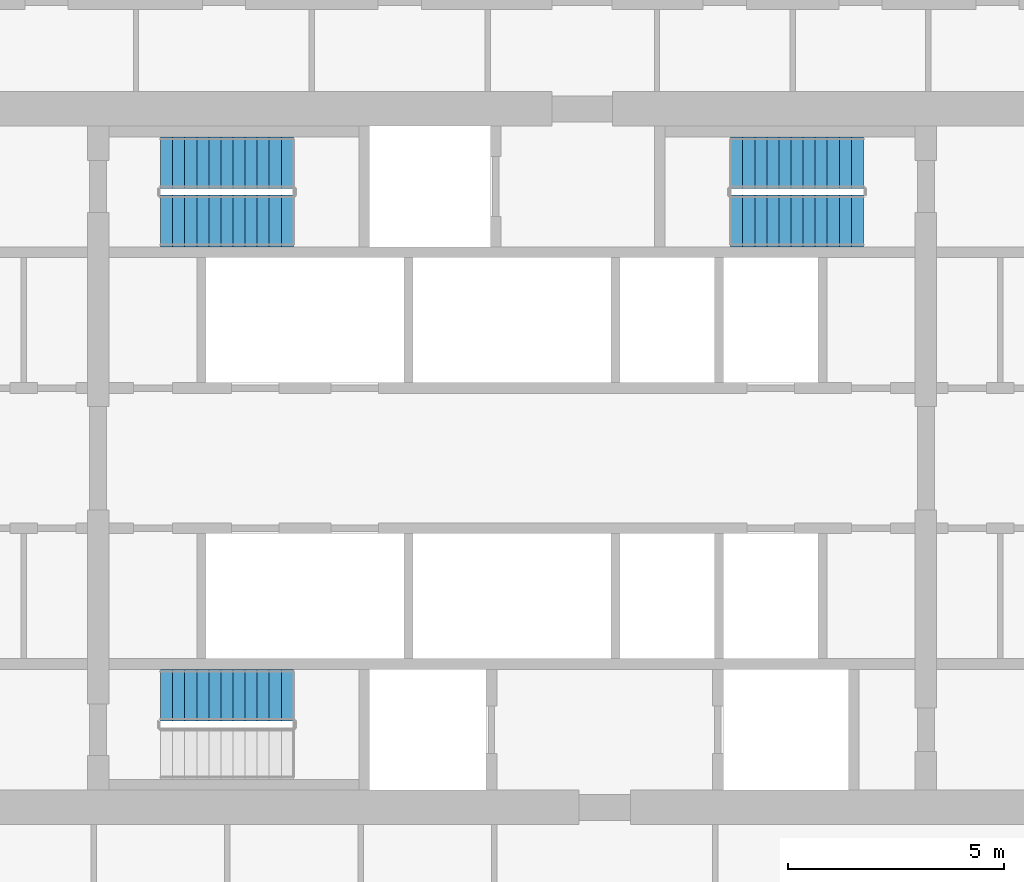
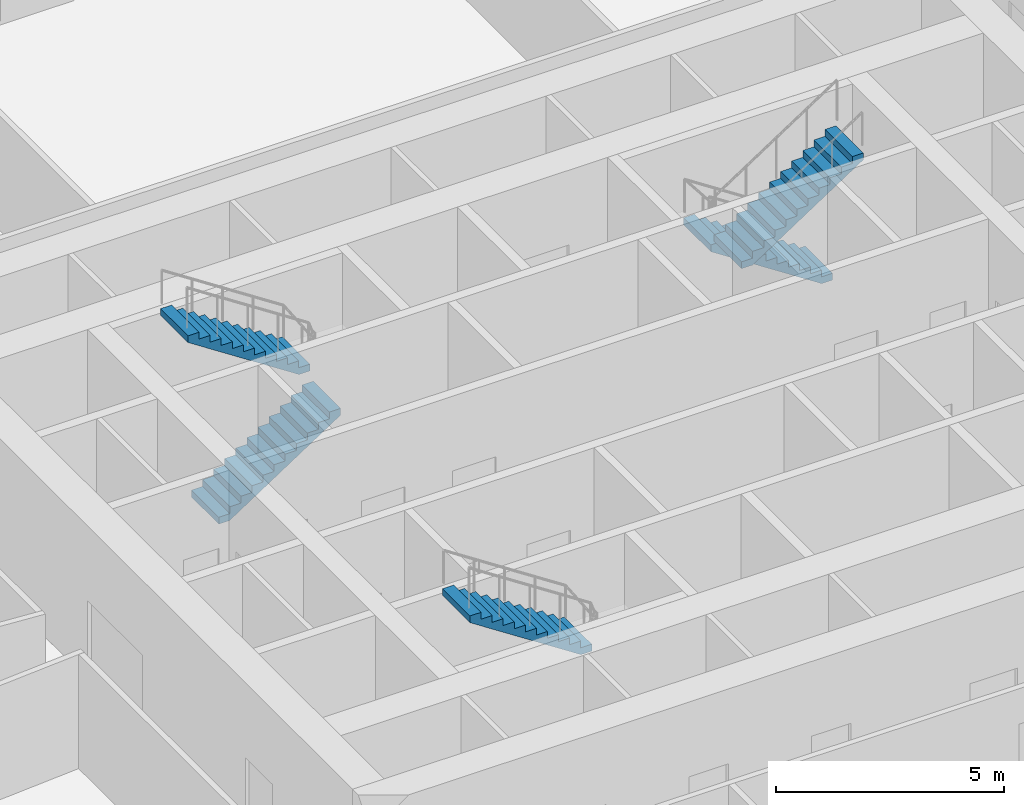
# One storey, part 9 of 13: 5 stair flights, 3 elements without a shape of their own.
"""IFC4 building model written with IfcOpenShell, lengths in metres."""

from ifc_helpers import new_model, si_unit, direction, frame, origin, place, context, subcontext, project, spatial, polyline, outline, extrude, material, layer, layer_set, type_object, element, aggregate, save


model = new_model("IFC4")

# Units and contexts
model_context = context("Model", 3, precision=1e-05, world=origin(), true_north=direction((0.0, 1.0)))
body_context = subcontext(model_context, "Body", "Model", "MODEL_VIEW")
ifc_project = project(units=[si_unit("LENGTHUNIT", "METRE"), si_unit("AREAUNIT", "SQUARE_METRE"), si_unit("VOLUMEUNIT", "CUBIC_METRE"), si_unit("PLANEANGLEUNIT", "RADIAN"), si_unit("MASSUNIT", "GRAM", prefix="KILO")], contexts=[model_context])

# Site, building, storey
site_placement = place(None, origin())
site = spatial("IfcSite", under=ifc_project, at=site_placement, CompositionType="ELEMENT")
building_placement = place(site_placement, origin())
building = spatial("IfcBuilding", under=site, at=building_placement, Name="Frailejon Research Tower", CompositionType="ELEMENT")
storey_placement = place(building_placement, frame((0.0, 0.0, 113.199951171875)))
storey = spatial("IfcBuildingStorey", under=building, at=storey_placement, Name="L24", CompositionType="ELEMENT", Elevation=113.199951171875)

# Stair, stair flights
ifc_material_1 = material(Name="Concrete C50/60", Category="concrete")
stair_type = type_object("IfcStairType", Name="Exit stair 24 risers", PredefinedType="HALF_TURN_STAIR", material=ifc_material_1)
stair_1_placement = place(storey_placement, origin())
stair_1 = element("IfcStair", 1, at=stair_1_placement, inside=storey, type_object=stair_type, Name="L24 Exit stair ST1", PredefinedType="HALF_TURN_STAIR")
ifc_material_2 = material(Name="Concrete C50/60", Category="concrete")
ifc_layer = layer(ifc_material_2, 0.14990234375)
ifc_layer_set = layer_set([ifc_layer], Name="Stair flight 12 risers")
stair_flight_type = type_object("IfcStairFlightType", Name="Stair flight 12 risers", PredefinedType="STRAIGHT", material=ifc_layer_set)
stair_flight_1_placement = place(storey_placement, frame((-8.14990234375, 5.5, 0.0), z_axis=(0.0, 0.0, 1.0), x_axis=(1.0, 0.0, 0.0)))
stair_flight_1 = element("IfcStairFlight", 2, at=stair_flight_1_placement, type_object=stair_flight_type, Name="ST1 flight 1", NumberOfRisers=12, NumberOfTreads=11, PredefinedType="STRAIGHT", RiserHeight=0.183333333, TreadLength=0.28, context=body_context, shape_type="SweptSolid", body=[
    extrude(outline(polyline([(0.0, 0.0), (0.0, 0.183349609375), (0.280029296875, 0.183349609375), (0.280029296875, 0.36669921875), (0.56005859375, 0.36669921875), (0.56005859375, 0.550048828125), (0.840087890625, 0.550048828125), (0.840087890625, 0.7333984375), (1.1201171875, 0.7333984375), (1.1201171875, 0.916748046875), (1.39990234375, 0.916748046875), (1.39990234375, 1.10009765625), (1.679931640625, 1.10009765625), (1.679931640625, 1.283447265625), (1.9599609375, 1.283447265625), (1.9599609375, 1.466552734375), (2.239990234375, 1.466552734375), (2.239990234375, 1.64990234375), (2.52001953125, 1.64990234375), (2.52001953125, 1.833251953125), (2.800048828125, 1.833251953125), (2.800048828125, 2.0166015625), (3.080078125, 2.0166015625), (3.080078125, 2.199951171875), (3.080078125, 1.83740234375), (0.273681640625, 0.0), (0.0, 0.0)])), frame((0.0, 0.60009765625, 0.0), z_axis=(0.0, -1.0, 0.0), x_axis=(1.0, 0.0, 0.0)), (0.0, 0.0, 1.0), 1.199951171875),
])
stair_flight_2_placement = place(storey_placement, frame((-5.070068359375, 6.85009765625, 2.199951171875), z_axis=(0.0, 0.0, 1.0), x_axis=(-1.0, 0.0, 0.0)))
stair_flight_2 = element("IfcStairFlight", 3, at=stair_flight_2_placement, type_object=stair_flight_type, Name="ST1 flight 2", NumberOfRisers=12, NumberOfTreads=11, PredefinedType="STRAIGHT", RiserHeight=0.183333333, TreadLength=0.28, context=body_context, shape_type="SweptSolid", body=[
    extrude(outline(polyline([(0.0, 0.0), (0.0, 0.183349609375), (0.280029296875, 0.183349609375), (0.280029296875, 0.36669921875), (0.56005859375, 0.36669921875), (0.56005859375, 0.550048828125), (0.840087890625, 0.550048828125), (0.840087890625, 0.7333984375), (1.1201171875, 0.7333984375), (1.1201171875, 0.916748046875), (1.39990234375, 0.916748046875), (1.39990234375, 1.10009765625), (1.679931640625, 1.10009765625), (1.679931640625, 1.283447265625), (1.9599609375, 1.283447265625), (1.9599609375, 1.466552734375), (2.239990234375, 1.466552734375), (2.239990234375, 1.64990234375), (2.52001953125, 1.64990234375), (2.52001953125, 1.833251953125), (2.800048828125, 1.833251953125), (2.800048828125, 2.0166015625), (3.080078125, 2.0166015625), (3.080078125, 2.199951171875), (3.080078125, 1.83740234375), (0.273681640625, 0.0), (0.0, 0.0)])), frame((0.0, 0.60009765625, 0.0), z_axis=(0.0, -1.0, 0.0), x_axis=(1.0, 0.0, 0.0)), (0.0, 0.0, 1.0), 1.199951171875),
])
aggregate(stair_1, [stair_flight_1, stair_flight_2])

# Stair, stair flight
stair_2_placement = place(storey_placement, origin())
stair_2 = element("IfcStair", 4, at=stair_2_placement, inside=storey, type_object=stair_type, Name="L24 Exit stair ST2", PredefinedType="HALF_TURN_STAIR")
stair_flight_3_placement = place(storey_placement, frame((-5.070068359375, -5.5, 2.199951171875), z_axis=(0.0, 0.0, 1.0), x_axis=(-1.0, 0.0, 0.0)))
stair_flight_3 = element("IfcStairFlight", 5, at=stair_flight_3_placement, type_object=stair_flight_type, Name="ST2 flight 2", NumberOfRisers=12, NumberOfTreads=11, PredefinedType="STRAIGHT", RiserHeight=0.183333333, TreadLength=0.28, context=body_context, shape_type="SweptSolid", body=[
    extrude(outline(polyline([(0.0, 0.0), (0.0, 0.183349609375), (0.280029296875, 0.183349609375), (0.280029296875, 0.36669921875), (0.56005859375, 0.36669921875), (0.56005859375, 0.550048828125), (0.840087890625, 0.550048828125), (0.840087890625, 0.7333984375), (1.1201171875, 0.7333984375), (1.1201171875, 0.916748046875), (1.39990234375, 0.916748046875), (1.39990234375, 1.10009765625), (1.679931640625, 1.10009765625), (1.679931640625, 1.283447265625), (1.9599609375, 1.283447265625), (1.9599609375, 1.466552734375), (2.239990234375, 1.466552734375), (2.239990234375, 1.64990234375), (2.52001953125, 1.64990234375), (2.52001953125, 1.833251953125), (2.800048828125, 1.833251953125), (2.800048828125, 2.0166015625), (3.080078125, 2.0166015625), (3.080078125, 2.199951171875), (3.080078125, 1.83740234375), (0.273681640625, 0.0), (0.0, 0.0)])), frame((0.0, 0.60009765625, 0.0), z_axis=(0.0, -1.0, 0.0), x_axis=(1.0, 0.0, 0.0)), (0.0, 0.0, 1.0), 1.199951171875),
])
aggregate(stair_2, [stair_flight_3])

# Stair, stair flights
stair_3_placement = place(storey_placement, origin())
stair_3 = element("IfcStair", 6, at=stair_3_placement, inside=storey, type_object=stair_type, Name="L24 Exit stair ST3", PredefinedType="HALF_TURN_STAIR")
stair_flight_4_placement = place(storey_placement, frame((8.14990234375, 6.85009765625, 0.0), z_axis=(0.0, 0.0, 1.0), x_axis=(-1.0, 0.0, 0.0)))
stair_flight_4 = element("IfcStairFlight", 7, at=stair_flight_4_placement, type_object=stair_flight_type, Name="ST3 flight 1", NumberOfRisers=12, NumberOfTreads=11, PredefinedType="STRAIGHT", RiserHeight=0.183333333, TreadLength=0.28, context=body_context, shape_type="SweptSolid", body=[
    extrude(outline(polyline([(0.0, 0.0), (0.0, 0.183349609375), (0.280029296875, 0.183349609375), (0.280029296875, 0.36669921875), (0.56005859375, 0.36669921875), (0.56005859375, 0.550048828125), (0.840087890625, 0.550048828125), (0.840087890625, 0.7333984375), (1.1201171875, 0.7333984375), (1.1201171875, 0.916748046875), (1.39990234375, 0.916748046875), (1.39990234375, 1.10009765625), (1.679931640625, 1.10009765625), (1.679931640625, 1.283447265625), (1.9599609375, 1.283447265625), (1.9599609375, 1.466552734375), (2.239990234375, 1.466552734375), (2.239990234375, 1.64990234375), (2.52001953125, 1.64990234375), (2.52001953125, 1.833251953125), (2.800048828125, 1.833251953125), (2.800048828125, 2.0166015625), (3.080078125, 2.0166015625), (3.080078125, 2.199951171875), (3.080078125, 1.83740234375), (0.273681640625, 0.0), (0.0, 0.0)])), frame((0.0, 0.60009765625, 0.0), z_axis=(0.0, -1.0, 0.0), x_axis=(1.0, 0.0, 0.0)), (0.0, 0.0, 1.0), 1.199951171875),
])
stair_flight_5_placement = place(storey_placement, frame((5.070068359375, 5.5, 2.199951171875), z_axis=(0.0, 0.0, 1.0), x_axis=(1.0, 0.0, 0.0)))
stair_flight_5 = element("IfcStairFlight", 8, at=stair_flight_5_placement, type_object=stair_flight_type, Name="ST3 flight 2", NumberOfRisers=12, NumberOfTreads=11, PredefinedType="STRAIGHT", RiserHeight=0.183333333, TreadLength=0.28, context=body_context, shape_type="SweptSolid", body=[
    extrude(outline(polyline([(0.0, 0.0), (0.0, 0.183349609375), (0.280029296875, 0.183349609375), (0.280029296875, 0.36669921875), (0.56005859375, 0.36669921875), (0.56005859375, 0.550048828125), (0.840087890625, 0.550048828125), (0.840087890625, 0.7333984375), (1.1201171875, 0.7333984375), (1.1201171875, 0.916748046875), (1.39990234375, 0.916748046875), (1.39990234375, 1.10009765625), (1.679931640625, 1.10009765625), (1.679931640625, 1.283447265625), (1.9599609375, 1.283447265625), (1.9599609375, 1.466552734375), (2.239990234375, 1.466552734375), (2.239990234375, 1.64990234375), (2.52001953125, 1.64990234375), (2.52001953125, 1.833251953125), (2.800048828125, 1.833251953125), (2.800048828125, 2.0166015625), (3.080078125, 2.0166015625), (3.080078125, 2.199951171875), (3.080078125, 1.83740234375), (0.273681640625, 0.0), (0.0, 0.0)])), frame((0.0, 0.60009765625, 0.0), z_axis=(0.0, -1.0, 0.0), x_axis=(1.0, 0.0, 0.0)), (0.0, 0.0, 1.0), 1.199951171875),
])
aggregate(stair_3, [stair_flight_4, stair_flight_5])

save(model, "model.ifc")
